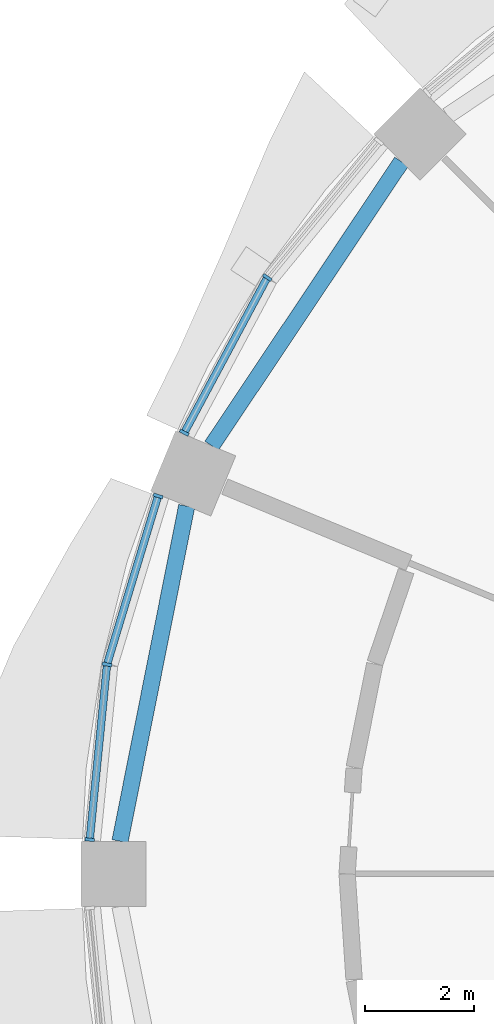
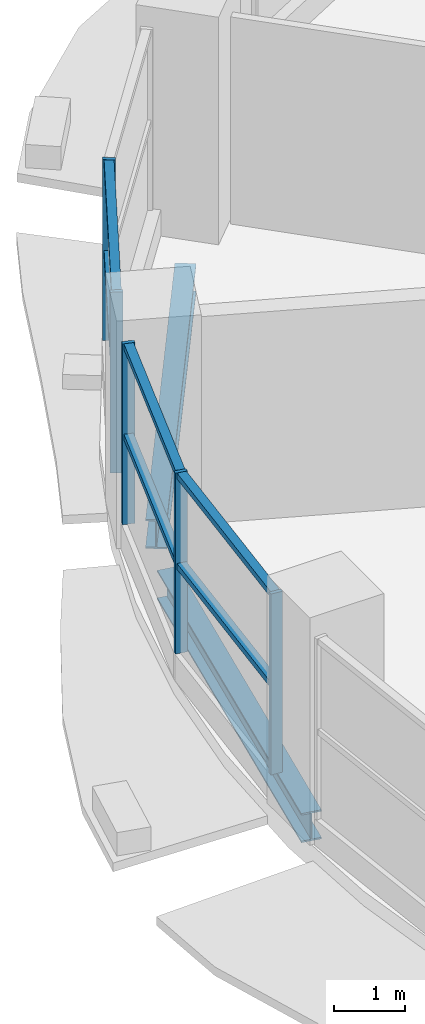
# One storey, part 3 of 15: 11 members, 2 beams, 2 elements without a shape of their own.
"""IFC4 building model written with IfcOpenShell, lengths in metres."""

from ifc_helpers import new_model, si_unit, direction, frame, origin, origin_2d, place, context, subcontext, project, spatial, rectangle, i_section, extrude, material, material_profile, profile_set, type_object, element, aggregate, save


model = new_model("IFC4")

# Units and contexts
model_context = context("Model", 3, precision=1e-05, world=origin(), true_north=direction((0.0, 1.0)))
body_context = subcontext(model_context, "Body", "Model", "MODEL_VIEW")
ifc_project = project(units=[si_unit("LENGTHUNIT", "METRE"), si_unit("AREAUNIT", "SQUARE_METRE"), si_unit("VOLUMEUNIT", "CUBIC_METRE"), si_unit("PLANEANGLEUNIT", "RADIAN"), si_unit("MASSUNIT", "GRAM", prefix="KILO")], contexts=[model_context])

# Site, building, storey
site_placement = place(None, origin())
site = spatial("IfcSite", under=ifc_project, at=site_placement, CompositionType="ELEMENT")
building_placement = place(site_placement, origin())
building = spatial("IfcBuilding", under=site, at=building_placement, Name="Polderwave Tower", CompositionType="ELEMENT")
storey_placement = place(building_placement, frame((0.0, 0.0, 18.5)))
storey = spatial("IfcBuildingStorey", under=building, at=storey_placement, Name="L04", CompositionType="ELEMENT", Elevation=18.5)

# Beams
ifc_material_1 = material(Name="Steel S355", Category="steel")
ifc_material_profile_1 = material_profile(ifc_material_1, i_section(OverallWidth=0.300048828125, OverallDepth=0.5, WebThickness=0.014404296875, FlangeThickness=0.028076171875, at=origin_2d()), Name="HE 500 B")
ifc_profile_set_1 = profile_set([ifc_material_profile_1], Name="Steel S355")
beam_type = type_object("IfcBeamType", Name="RING BEAM HE 500 B", PredefinedType="BEAM", material=ifc_profile_set_1)
for number, where, z_axis, x_axis, name in (
    (1, (-13.958740234375, 13.110107421875, -0.64990234375), (-0.555586450698, -0.831458775767, 0.0), (0.831458775767, -0.555586450698, 0.0), "ST-RB-L04-06"),
    (2, (-17.913330078125, 6.7705078125, -0.64990234375), (-0.195078706153, -0.980787590871, 0.0), (0.980787590871, -0.195078706153, 0.0), "ST-RB-L04-07"),
):
    element("IfcBeam", number, at=place(storey_placement, frame(where, z_axis=z_axis, x_axis=x_axis)), inside=storey, type_object=beam_type, Name=name, PredefinedType="BEAM", context=body_context, shape_type="SweptSolid", body=[
        extrude(i_section(OverallWidth=0.300048828125, OverallDepth=0.5, WebThickness=0.014404296875, FlangeThickness=0.028076171875, at=origin_2d()), origin(), (0.0, 0.0, 1.0), 6.291259765625),
    ])

# Curtain wall, members
ifc_material_2 = material(Name="Aluminium 6063-T6 and glass", Category="aluminium")
curtain_wall_type = type_object("IfcCurtainWallType", Name="Shopfront glazing wall", PredefinedType="NOTDEFINED", material=ifc_material_2)
curtain_wall_1_placement = place(storey_placement, origin())
curtain_wall_1 = element("IfcCurtainWall", 3, at=curtain_wall_1_placement, inside=storey, type_object=curtain_wall_type, Name="CW1 L04 06", PredefinedType="NOTDEFINED")
ifc_material_3 = material(Name="Aluminium 6063-T6", Category="aluminium")
ifc_material_profile_2 = material_profile(ifc_material_3, rectangle(XDim=0.179931640625, YDim=0.06005859375, at=origin_2d()), Name="AL 60x180")
ifc_profile_set_2 = profile_set([ifc_material_profile_2], Name="Aluminium 6063-T6")
member_type_1 = type_object("IfcMemberType", Name="Shopfront glazing mullion 60x180", PredefinedType="MULLION", material=ifc_profile_set_2)
member_1_placement = place(storey_placement, frame((-16.429931640625, 10.97802734375, 0.449951171875), z_axis=(0.0, 0.0, 1.0), x_axis=(0.83141336817, -0.555654399091, 0.0)))
member_1 = element("IfcMember", 4, at=member_1_placement, type_object=member_type_1, Name="CW1 mullion 2", PredefinedType="MULLION", context=body_context, shape_type="SweptSolid", body=[
    extrude(rectangle(XDim=0.179931640625, YDim=0.06005859375, at=origin_2d()), origin(), (0.0, 0.0, 1.0), 3.10009765625),
])
member_2_placement = place(storey_placement, frame((-17.9580078125, 8.12060546875, 0.449951171875), z_axis=(0.0, 0.0, 1.0), x_axis=(0.881861196987, -0.471509097737, 0.0)))
member_2 = element("IfcMember", 5, at=member_2_placement, type_object=member_type_1, Name="CW1 mullion 3", PredefinedType="MULLION", context=body_context, shape_type="SweptSolid", body=[
    extrude(rectangle(XDim=0.179931640625, YDim=0.06005859375, at=origin_2d()), origin(), (0.0, 0.0, 1.0), 3.10009765625),
])

curtain_wall_2_placement = place(storey_placement, origin())
curtain_wall_2 = element("IfcCurtainWall", 6, at=curtain_wall_2_placement, inside=storey, type_object=curtain_wall_type, Name="CW1 L04 07", PredefinedType="NOTDEFINED")
member_3_placement = place(storey_placement, frame((-18.439697265625, 6.956298828125, 0.449951171875), z_axis=(0.0, 0.0, 1.0), x_axis=(0.956980857791, -0.290151060348, 0.0)))
member_3 = element("IfcMember", 7, at=member_3_placement, type_object=member_type_1, Name="CW1 mullion 1", PredefinedType="MULLION", context=body_context, shape_type="SweptSolid", body=[
    extrude(rectangle(XDim=0.179931640625, YDim=0.06005859375, at=origin_2d()), origin(), (0.0, 0.0, 1.0), 3.10009765625),
])
member_4_placement = place(storey_placement, frame((-19.3798828125, 3.85498046875, 0.449951171875), z_axis=(0.0, 0.0, 1.0), x_axis=(0.980786642367, -0.195083474838, 0.0)))
member_4 = element("IfcMember", 8, at=member_4_placement, type_object=member_type_1, Name="CW1 mullion 2", PredefinedType="MULLION", context=body_context, shape_type="SweptSolid", body=[
    extrude(rectangle(XDim=0.179931640625, YDim=0.06005859375, at=origin_2d()), origin(), (0.0, 0.0, 1.0), 3.10009765625),
])
member_5_placement = place(storey_placement, frame((-19.697998046875, 0.6298828125, 0.449951171875), z_axis=(0.0, 0.0, 1.0), x_axis=(0.995172401617, -0.098142198156, 0.0)))
member_5 = element("IfcMember", 9, at=member_5_placement, type_object=member_type_1, Name="CW1 mullion 3", PredefinedType="MULLION", context=body_context, shape_type="SweptSolid", body=[
    extrude(rectangle(XDim=0.179931640625, YDim=0.06005859375, at=origin_2d()), origin(), (0.0, 0.0, 1.0), 3.10009765625),
])

# Member
ifc_material_profile_3 = material_profile(ifc_material_3, rectangle(XDim=0.139892578125, YDim=0.10009765625, at=origin_2d()), Name="AL 100x140")
ifc_profile_set_3 = profile_set([ifc_material_profile_3], Name="Aluminium 6063-T6")
member_type_2 = type_object("IfcMemberType", Name="Shopfront glazing transom 100x140", PredefinedType="USERDEFINED", material=ifc_profile_set_3)
member_6_placement = place(storey_placement, frame((-16.444091796875, 10.951416015625, 1.949951171875), z_axis=(-0.471520367517, -0.881855171225, 0.0), x_axis=(0.881855171225, -0.471520367517, 0.0)))
member_6 = element("IfcMember", 10, at=member_6_placement, type_object=member_type_2, Name="CW1 transom 3", ObjectType="TRANSOM", PredefinedType="USERDEFINED", context=body_context, shape_type="SweptSolid", body=[
    extrude(rectangle(XDim=0.139892578125, YDim=0.10009765625, at=origin_2d()), origin(), (0.0, 0.0, 1.0), 3.18017578125),
])

member_7_placement = place(storey_placement, frame((-16.444091796875, 10.951416015625, 3.5), z_axis=(-0.471520367517, -0.881855171225, 0.0), x_axis=(0.881855171225, -0.471520367517, 0.0)))
member_7 = element("IfcMember", 11, at=member_7_placement, type_object=member_type_2, Name="CW1 transom 4", ObjectType="TRANSOM", PredefinedType="USERDEFINED", context=body_context, shape_type="SweptSolid", body=[
    extrude(rectangle(XDim=0.139892578125, YDim=0.10009765625, at=origin_2d()), origin(), (0.0, 0.0, 1.0), 3.18017578125),
])

aggregate(curtain_wall_1, [member_1, member_2, member_6, member_7])

member_8_placement = place(storey_placement, frame((-18.448486328125, 6.927490234375, 1.949951171875), z_axis=(-0.290156523701, -0.956979201317, 0.0), x_axis=(0.956979201317, -0.290156523701, 0.0)))
member_8 = element("IfcMember", 12, at=member_8_placement, type_object=member_type_2, Name="CW1 transom 1", ObjectType="TRANSOM", PredefinedType="USERDEFINED", context=body_context, shape_type="SweptSolid", body=[
    extrude(rectangle(XDim=0.139892578125, YDim=0.10009765625, at=origin_2d()), origin(), (0.0, 0.0, 1.0), 3.180419921875),
])

member_9_placement = place(storey_placement, frame((-18.448486328125, 6.927490234375, 3.5), z_axis=(-0.290156523701, -0.956979201317, 0.0), x_axis=(0.956979201317, -0.290156523701, 0.0)))
member_9 = element("IfcMember", 13, at=member_9_placement, type_object=member_type_2, Name="CW1 transom 2", ObjectType="TRANSOM", PredefinedType="USERDEFINED", context=body_context, shape_type="SweptSolid", body=[
    extrude(rectangle(XDim=0.139892578125, YDim=0.10009765625, at=origin_2d()), origin(), (0.0, 0.0, 1.0), 3.180419921875),
])

member_10_placement = place(storey_placement, frame((-19.3828125, 3.8251953125, 1.949951171875), z_axis=(-0.098166163694, -0.995170037886, 0.0), x_axis=(0.995170037886, -0.098166163694, 0.0)))
member_10 = element("IfcMember", 14, at=member_10_placement, type_object=member_type_2, Name="CW1 transom 3", ObjectType="TRANSOM", PredefinedType="USERDEFINED", context=body_context, shape_type="SweptSolid", body=[
    extrude(rectangle(XDim=0.139892578125, YDim=0.10009765625, at=origin_2d()), origin(), (0.0, 0.0, 1.0), 3.180908203125),
])

member_11_placement = place(storey_placement, frame((-19.3828125, 3.8251953125, 3.5), z_axis=(-0.098166163694, -0.995170037886, 0.0), x_axis=(0.995170037886, -0.098166163694, 0.0)))
member_11 = element("IfcMember", 15, at=member_11_placement, type_object=member_type_2, Name="CW1 transom 4", ObjectType="TRANSOM", PredefinedType="USERDEFINED", context=body_context, shape_type="SweptSolid", body=[
    extrude(rectangle(XDim=0.139892578125, YDim=0.10009765625, at=origin_2d()), origin(), (0.0, 0.0, 1.0), 3.180908203125),
])

aggregate(curtain_wall_2, [member_3, member_4, member_5, member_8, member_9, member_10, member_11])

save(model, "model.ifc")
